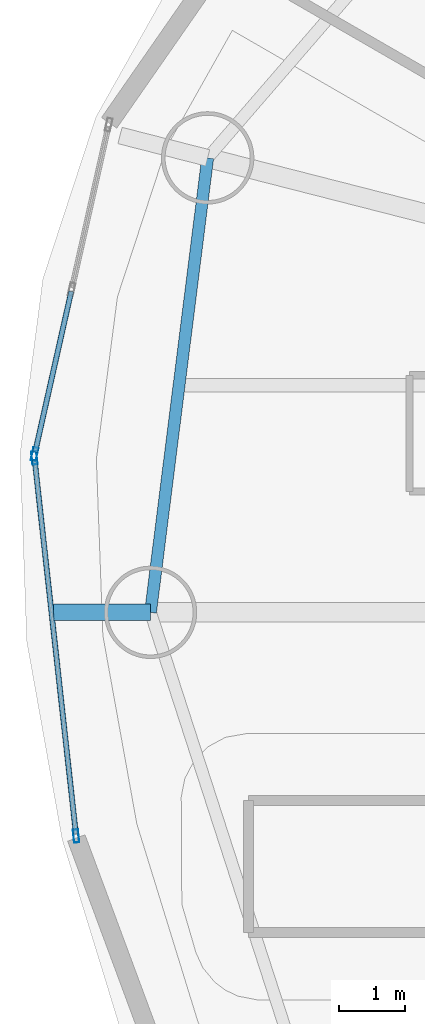
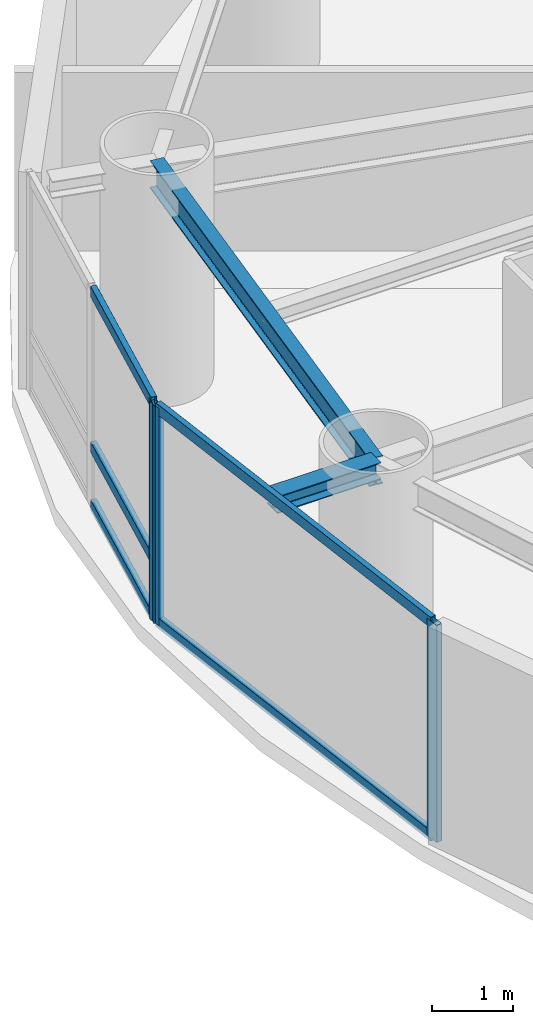
# One storey, part 4 of 22: 8 members, 2 beams, 2 elements without a shape of their own.
"""IFC4 building model written with IfcOpenShell, lengths in metres."""

from ifc_helpers import new_model, si_unit, direction, frame, origin, origin_2d, place, context, subcontext, project, spatial, hollow_rectangle, i_section, extrude, material, layer, layer_set, material_profile, profile_set, type_object, element, aggregate, save


model = new_model("IFC4")

# Units and contexts
model_context = context("Model", 3, precision=1e-05, world=origin(), true_north=direction((0.0, 1.0)))
body_context = subcontext(model_context, "Body", "Model", "MODEL_VIEW")
ifc_project = project(units=[si_unit("LENGTHUNIT", "METRE"), si_unit("AREAUNIT", "SQUARE_METRE"), si_unit("VOLUMEUNIT", "CUBIC_METRE"), si_unit("PLANEANGLEUNIT", "RADIAN"), si_unit("MASSUNIT", "GRAM", prefix="KILO")], contexts=[model_context])

# Site, building, storey
site_placement = place(None, origin())
site = spatial("IfcSite", under=ifc_project, at=site_placement, CompositionType="ELEMENT")
building_placement = place(site_placement, origin())
building = spatial("IfcBuilding", under=site, at=building_placement, Name="Bramvorn Convention Spire", CompositionType="ELEMENT")
storey_placement = place(building_placement, frame((0.0, 0.0, 127.300048828125)))
storey = spatial("IfcBuildingStorey", under=building, at=storey_placement, Name="L31", CompositionType="ELEMENT", Elevation=127.300048828125)

# Beams
ifc_material_1 = material(Name="Steel CSA G40.21 Grade 350 (350W)", Category="steel")
ifc_material_profile_1 = material_profile(ifc_material_1, i_section(OverallWidth=0.25390625, OverallDepth=0.2529296875, WebThickness=0.008544921875, FlangeThickness=0.01416015625, FilletRadius=0.011962890625, at=origin_2d()))
ifc_profile_set_1 = profile_set([ifc_material_profile_1], Name="Steel CSA G40.21 Grade 350 (350W) - W250X73")
beam_type_1 = type_object("IfcBeamType", Name="BM-W250X73", PredefinedType="BEAM", material=ifc_profile_set_1)
beam_1_placement = place(storey_placement, frame((13.016357421875, 29.851806640625, 3.133544921875), z_axis=(-1.0, 0.0, 0.0), x_axis=(0.0, -1.0, 0.0)))
element("IfcBeam", 1, at=beam_1_placement, inside=storey, type_object=beam_type_1, Name="L31 slab-edge cantilever tip beam MC10", PredefinedType="BEAM", context=body_context, shape_type="SweptSolid", body=[
    extrude(i_section(OverallWidth=0.25390625, OverallDepth=0.2529296875, WebThickness=0.008544921875, FlangeThickness=0.01416015625, FilletRadius=0.011962890625, at=origin_2d()), origin(), (0.0, 0.0, 1.0), 1.469970703125),
])
ifc_material_profile_2 = material_profile(ifc_material_1, i_section(OverallWidth=0.180908203125, OverallDepth=0.4169921875, WebThickness=0.010986328125, FlangeThickness=0.018310546875, FilletRadius=0.01611328125, at=origin_2d()))
ifc_profile_set_2 = profile_set([ifc_material_profile_2], Name="Steel CSA G40.21 Grade 350 (350W) - W410X85")
beam_type_2 = type_object("IfcBeamType", Name="BM-W410X85", PredefinedType="JOIST", material=ifc_profile_set_2)
beam_2_placement = place(storey_placement, frame((13.88232421875, 36.73779296875, 3.051513671875), z_axis=(-0.124775053879, -0.992185056292, 0.0), x_axis=(0.992185056292, -0.124775053879, 0.0)))
element("IfcBeam", 2, at=beam_2_placement, inside=storey, type_object=beam_type_2, Name="L31 mega-column ring beam 09", PredefinedType="JOIST", context=body_context, shape_type="SweptSolid", body=[
    extrude(i_section(OverallWidth=0.180908203125, OverallDepth=0.4169921875, WebThickness=0.010986328125, FlangeThickness=0.018310546875, FilletRadius=0.01611328125, at=origin_2d()), origin(), (0.0, 0.0, 1.0), 6.940185546875),
])

# Curtain wall, member
ifc_material_2 = material(Name="Anodised Bronze Unitised Curtain Wall", Category="aluminium")
ifc_layer = layer(ifc_material_2, 0.179931640625)
ifc_layer_set = layer_set([ifc_layer], Name="Anodised Bronze Unitised Curtain Wall - CW-HTL-FRIT")
curtain_wall_type = type_object("IfcCurtainWallType", Name="CW-HTL-FRIT", PredefinedType="USERDEFINED", material=ifc_layer_set)
curtain_wall_1_placement = place(storey_placement, origin())
curtain_wall_1 = element("IfcCurtainWall", 3, at=curtain_wall_1_placement, inside=storey, type_object=curtain_wall_type, Name="L31 fritted glass curtain wall 13", ObjectType="UNITISED CURTAIN WALL", PredefinedType="USERDEFINED")
ifc_material_3 = material(Name="Anodised Bronze Aluminium 6063-T6", Category="aluminium")
ifc_material_profile_3 = material_profile(ifc_material_3, hollow_rectangle(XDim=0.080078125, YDim=0.199951171875, WallThickness=0.00390625, InnerFilletRadius=0.0009765625, OuterFilletRadius=0.00390625, at=origin_2d()))
ifc_profile_set_3 = profile_set([ifc_material_profile_3], Name="Anodised Bronze Aluminium 6063-T6 - CWM80X200")
member_type_1 = type_object("IfcMemberType", Name="CW-MUL-180", PredefinedType="MULLION", material=ifc_profile_set_3)
member_1_placement = place(storey_placement, frame((11.26123046875, 32.249755859375, 0.0), z_axis=(0.0, 0.0, 1.0), x_axis=(-0.975646577607, 0.219348479828, 0.0)))
member_1 = element("IfcMember", 4, at=member_1_placement, type_object=member_type_1, Name="CW2 mullion 1", PredefinedType="MULLION", context=body_context, shape_type="SweptSolid", body=[
    extrude(hollow_rectangle(XDim=0.080078125, YDim=0.199951171875, WallThickness=0.00390625, InnerFilletRadius=0.0009765625, OuterFilletRadius=0.00390625, at=origin_2d()), origin(), (0.0, 0.0, 1.0), 3.260009765625),
])

# Curtain wall, members
curtain_wall_2_placement = place(storey_placement, origin())
curtain_wall_2 = element("IfcCurtainWall", 5, at=curtain_wall_2_placement, inside=storey, type_object=curtain_wall_type, Name="L31 fritted glass curtain wall 14", ObjectType="UNITISED CURTAIN WALL", PredefinedType="USERDEFINED")
member_2_placement = place(storey_placement, frame((11.889404296875, 26.462646484375, 0.0), z_axis=(0.0, 0.0, 1.0), x_axis=(-0.99397699813, -0.109588900847, 0.0)))
member_2 = element("IfcMember", 6, at=member_2_placement, type_object=member_type_1, Name="CW2 mullion 1", PredefinedType="MULLION", context=body_context, shape_type="SweptSolid", body=[
    extrude(hollow_rectangle(XDim=0.080078125, YDim=0.199951171875, WallThickness=0.00390625, InnerFilletRadius=0.0009765625, OuterFilletRadius=0.00390625, at=origin_2d()), origin(), (0.0, 0.0, 1.0), 3.260009765625),
])
member_3_placement = place(storey_placement, frame((11.2578125, 32.190673828125, 0.0), z_axis=(0.0, 0.0, 1.0), x_axis=(-0.99397699813, -0.109588900847, 0.0)))
member_3 = element("IfcMember", 7, at=member_3_placement, type_object=member_type_1, Name="CW2 mullion 2", PredefinedType="MULLION", context=body_context, shape_type="SweptSolid", body=[
    extrude(hollow_rectangle(XDim=0.080078125, YDim=0.199951171875, WallThickness=0.00390625, InnerFilletRadius=0.0009765625, OuterFilletRadius=0.00390625, at=origin_2d()), origin(), (0.0, 0.0, 1.0), 3.260009765625),
])

# Member
ifc_material_profile_4 = material_profile(ifc_material_3, hollow_rectangle(XDim=0.080078125, YDim=0.159912109375, WallThickness=0.00390625, InnerFilletRadius=0.0009765625, OuterFilletRadius=0.00390625, at=origin_2d()))
ifc_profile_set_4 = profile_set([ifc_material_profile_4], Name="Anodised Bronze Aluminium 6063-T6 - CWT80X160")
member_type_2 = type_object("IfcMemberType", Name="CW-TRN-150", PredefinedType="USERDEFINED", material=ifc_profile_set_4)
member_4_placement = place(storey_placement, frame((11.267822265625, 32.279052734375, 0.030029296875), z_axis=(0.219300478684, 0.975657368162, 0.0), x_axis=(-0.975657368162, 0.219300478684, 0.0)))
member_4 = element("IfcMember", 8, at=member_4_placement, type_object=member_type_2, Name="CW2 transom 1.1", ObjectType="TRANSOM", PredefinedType="USERDEFINED", context=body_context, shape_type="SweptSolid", body=[
    extrude(hollow_rectangle(XDim=0.080078125, YDim=0.159912109375, WallThickness=0.00390625, InnerFilletRadius=0.0009765625, OuterFilletRadius=0.00390625, at=origin_2d()), origin(), (0.0, 0.0, 1.0), 2.4970703125),
])

member_5_placement = place(storey_placement, frame((11.267822265625, 32.279052734375, 0.89990234375), z_axis=(0.219300478684, 0.975657368162, 0.0), x_axis=(-0.975657368162, 0.219300478684, 0.0)))
member_5 = element("IfcMember", 9, at=member_5_placement, type_object=member_type_2, Name="CW2 transom 1.2", ObjectType="TRANSOM", PredefinedType="USERDEFINED", context=body_context, shape_type="SweptSolid", body=[
    extrude(hollow_rectangle(XDim=0.080078125, YDim=0.159912109375, WallThickness=0.00390625, InnerFilletRadius=0.0009765625, OuterFilletRadius=0.00390625, at=origin_2d()), origin(), (0.0, 0.0, 1.0), 2.4970703125),
])

member_6_placement = place(storey_placement, frame((11.267822265625, 32.279052734375, 3.22998046875), z_axis=(0.219300478684, 0.975657368162, 0.0), x_axis=(-0.975657368162, 0.219300478684, 0.0)))
member_6 = element("IfcMember", 10, at=member_6_placement, type_object=member_type_2, Name="CW2 transom 1.3", ObjectType="TRANSOM", PredefinedType="USERDEFINED", context=body_context, shape_type="SweptSolid", body=[
    extrude(hollow_rectangle(XDim=0.080078125, YDim=0.159912109375, WallThickness=0.00390625, InnerFilletRadius=0.0009765625, OuterFilletRadius=0.00390625, at=origin_2d()), origin(), (0.0, 0.0, 1.0), 2.4970703125),
])

aggregate(curtain_wall_1, [member_1, member_4, member_5, member_6])

member_7_placement = place(storey_placement, frame((11.88623046875, 26.492431640625, 0.030029296875), z_axis=(-0.109595114198, 0.99397631307, 0.0), x_axis=(-0.99397631307, -0.109595114198, 0.0)))
member_7 = element("IfcMember", 11, at=member_7_placement, type_object=member_type_2, Name="CW2 transom 1.1", ObjectType="TRANSOM", PredefinedType="USERDEFINED", context=body_context, shape_type="SweptSolid", body=[
    extrude(hollow_rectangle(XDim=0.080078125, YDim=0.159912109375, WallThickness=0.00390625, InnerFilletRadius=0.0009765625, OuterFilletRadius=0.00390625, at=origin_2d()), origin(), (0.0, 0.0, 1.0), 5.702880859375),
])

member_8_placement = place(storey_placement, frame((11.88623046875, 26.492431640625, 3.22998046875), z_axis=(-0.109595114198, 0.99397631307, 0.0), x_axis=(-0.99397631307, -0.109595114198, 0.0)))
member_8 = element("IfcMember", 12, at=member_8_placement, type_object=member_type_2, Name="CW2 transom 1.2", ObjectType="TRANSOM", PredefinedType="USERDEFINED", context=body_context, shape_type="SweptSolid", body=[
    extrude(hollow_rectangle(XDim=0.080078125, YDim=0.159912109375, WallThickness=0.00390625, InnerFilletRadius=0.0009765625, OuterFilletRadius=0.00390625, at=origin_2d()), origin(), (0.0, 0.0, 1.0), 5.702880859375),
])

aggregate(curtain_wall_2, [member_2, member_3, member_7, member_8])

save(model, "model.ifc")
